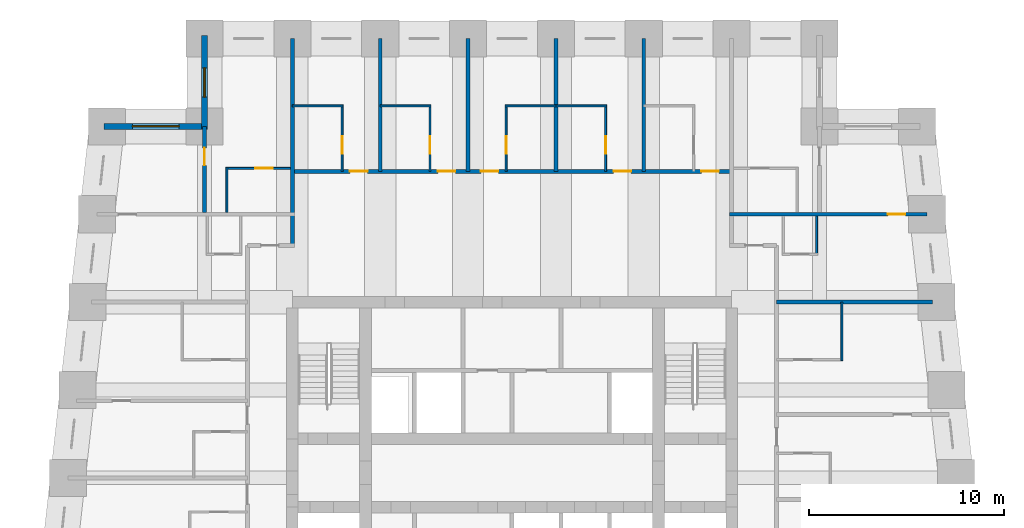
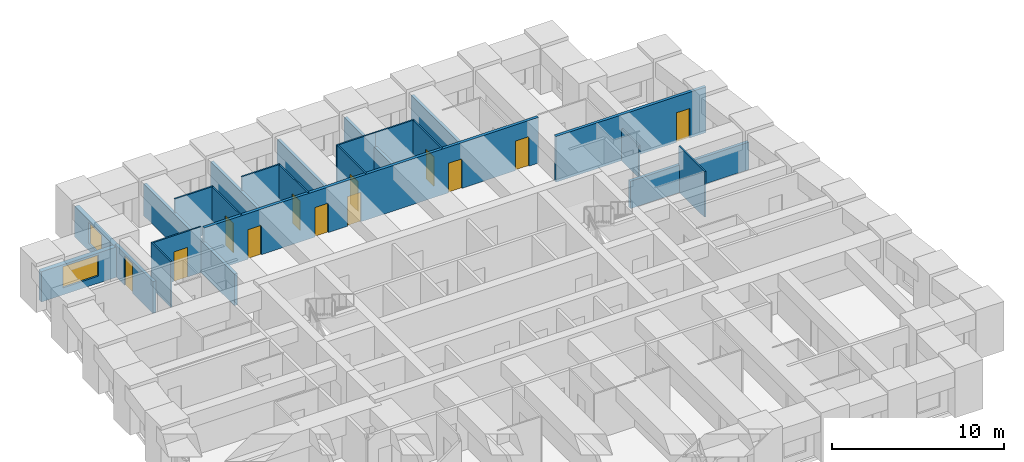
# One storey, part 6 of 8: 23 walls, 12 doors, 2 windows, 14 openings.
"""IFC4 building model written with IfcOpenShell, lengths in metres."""

import ifcopenshell
import ifcopenshell.guid

model = None  # the IFC model being written
_history = None  # IfcOwnerHistory: only IFC2X3 demands one
_inside = {}  # id of a spatial element -> (the spatial element, [elements in it])
_under = {}  # id of a project, library or spatial element -> (it, [spatial elements below it])
_declared = {}  # id of a project -> (the project, [libraries it declares])
_typed = {}  # id of a type object -> (the type object, [elements of that type])
_made_of = {}  # id of a material, layer set ... -> (it, [elements and type objects made of it])


def new_model(schema):
    """Start an empty IFC model of exactly this schema.

    Asked for "IFC4X3", IfcOpenShell would pick the latest addendum, in which some entities
    have other attributes; the version numbers below select the first issue.
    IFC2X3 requires an IfcOwnerHistory on every rooted entity: one is made here for all.
    """
    global model, _history
    if schema == "IFC4X3":
        model = ifcopenshell.file(schema_version=(4, 3, 0, 0))
    else:
        model = ifcopenshell.file(schema=schema)
    _inside.clear()
    _under.clear()
    _declared.clear()
    _typed.clear()
    _made_of.clear()
    _history = None
    if model.schema == "IFC2X3":
        org = make("IfcOrganization", Name="unknown")
        user = make(
            "IfcPersonAndOrganization",
            ThePerson=make("IfcPerson", FamilyName="unknown"),
            TheOrganization=org,
        )
        app = make(
            "IfcApplication",
            ApplicationDeveloper=org,
            Version="unknown",
            ApplicationFullName="unknown",
            ApplicationIdentifier="unknown",
        )
        _history = make(
            "IfcOwnerHistory",
            OwningUser=user,
            OwningApplication=app,
            ChangeAction="ADDED",
            CreationDate=0,
        )
    return model


def make(cls, **values):
    """One entity of the class cls with the attributes given. An attribute that is None is left unset."""
    return model.create_entity(
        cls, **{name: value for name, value in values.items() if value is not None}
    )


def rooted(cls, **values):
    """An entity with a GlobalId (a new one), such as an element, a storey or a relation."""
    return make(cls, GlobalId=ifcopenshell.guid.new(), OwnerHistory=_history, **values)


def si_unit(unit_type, name, prefix=None):
    """IfcSIUnit, for example si_unit("LENGTHUNIT", "METRE", prefix="MILLI")."""
    return make("IfcSIUnit", UnitType=unit_type, Prefix=prefix, Name=name)


def assignment(units):
    """IfcUnitAssignment: the units of a project."""
    return None if units is None else make("IfcUnitAssignment", Units=units)


def point(xyz):
    """IfcCartesianPoint."""
    return None if xyz is None else make("IfcCartesianPoint", Coordinates=xyz)


def direction(xyz):
    """IfcDirection."""
    return None if xyz is None else make("IfcDirection", DirectionRatios=xyz)


def frame(location, z_axis=None, x_axis=None):
    """IfcAxis2Placement3D, a coordinate frame: its origin and axes. An axis left out is left unset."""
    return make(
        "IfcAxis2Placement3D",
        Location=point(location),
        Axis=direction(z_axis),
        RefDirection=direction(x_axis),
    )


def frame_2d(location, x_axis=None):
    """IfcAxis2Placement2D, a coordinate frame in the plane: its origin and x axis."""
    return make(
        "IfcAxis2Placement2D", Location=point(location), RefDirection=direction(x_axis)
    )


def origin():
    """The frame at (0, 0, 0) with its axes left unset."""
    return frame((0.0, 0.0, 0.0))


def place(relative_to, where):
    """IfcLocalPlacement: puts the frame where relative to a parent placement (None: the world)."""
    return make(
        "IfcLocalPlacement", PlacementRelTo=relative_to, RelativePlacement=where
    )


def context(
    kind, dimensions, precision=None, world=None, true_north=None, identifier=None
):
    """IfcGeometricRepresentationContext, for example the 3D "Model" context."""
    return make(
        "IfcGeometricRepresentationContext",
        ContextIdentifier=identifier,
        ContextType=kind,
        CoordinateSpaceDimension=dimensions,
        Precision=precision,
        WorldCoordinateSystem=world,
        TrueNorth=true_north,
    )


def subcontext(parent, identifier, kind, view, scale=None):
    """IfcGeometricRepresentationSubContext, for example "Body" below "Model"."""
    return make(
        "IfcGeometricRepresentationSubContext",
        ContextIdentifier=identifier,
        ContextType=kind,
        ParentContext=parent,
        TargetScale=scale,
        TargetView=view,
    )


def project(units=None, contexts=None):
    """IfcProject with its units and contexts."""
    return rooted(
        "IfcProject",
        Name="project",
        RepresentationContexts=contexts,
        UnitsInContext=assignment(units),
    )


def spatial(cls, under=None, at=None, **own):
    """A site, building, storey or space (cls), placed at a placement, below another one or the project."""
    s = rooted(cls, ObjectPlacement=at, **own)
    if under is not None:
        _under.setdefault(under.id(), (under, []))[1].append(s)
    return s


def profile(cls, at=None, kind="AREA", **sizes):
    """A parametric profile (cls). Its sizes go by their IFC names, for example OverallWidth=200.0."""
    return make(cls, ProfileType=kind, Position=at, **sizes)


def rectangle(**sizes):
    """IfcRectangleProfileDef."""
    return profile("IfcRectangleProfileDef", **sizes)


def extrude(swept, where, along, depth):
    """IfcExtrudedAreaSolid: the profile swept, set in the frame where, extruded along a direction by depth."""
    return make(
        "IfcExtrudedAreaSolid",
        SweptArea=swept,
        Position=where,
        ExtrudedDirection=direction(along),
        Depth=depth,
    )


def shape(context_of_items, identifier, shape_type, items):
    """IfcShapeRepresentation: the items that make up one representation, for example the "Body"."""
    return make(
        "IfcShapeRepresentation",
        ContextOfItems=context_of_items,
        RepresentationIdentifier=identifier,
        RepresentationType=shape_type,
        Items=items,
    )


def material(Name=None, Category=None):
    """IfcMaterial."""
    return make("IfcMaterial", Name=Name, Category=Category)


def layer(
    of_material, thickness, ventilated=None, Name=None, Category=None, Priority=None
):
    """IfcMaterialLayer: one layer of a wall or slab, of a material (None: an air gap)."""
    return make(
        "IfcMaterialLayer",
        Material=of_material,
        LayerThickness=thickness,
        IsVentilated=ventilated,
        Name=Name,
        Category=Category,
        Priority=Priority,
    )


def layer_set(layers, Name=None):
    """IfcMaterialLayerSet."""
    return make("IfcMaterialLayerSet", MaterialLayers=layers, LayerSetName=Name)


def made_of(thing, what):
    """Note that an element or type object is made of a material, layer set ...; save() writes the relation."""
    if what is not None:
        _made_of.setdefault(what.id(), (what, []))[1].append(thing)
    return thing


def type_object(cls, material=None, **own):
    """A type object (cls), such as IfcWallType, which elements share."""
    return made_of(rooted(cls, **own), material)


def element(
    cls,
    number,
    at=None,
    inside=None,
    cuts=None,
    type_object=None,
    material=None,
    context=None,
    identifier="Body",
    shape_type=None,
    held_by="IfcProductDefinitionShape",
    body=None,
    shapes=None,
    **own,
):
    """One element of the class cls, such as IfcWall. Its Tag is "e" and its number.

    at: its placement. inside: the storey or other place that contains it. cuts: it is an
    opening in that element (IfcRelVoidsElement). A single representation is given by context,
    identifier, shape_type and body (its items); several are given by shapes. held_by: the class
    of the entity that holds the representations. save() writes the other relations.
    """
    e = rooted(cls, Tag="e%d" % number, ObjectPlacement=at, **own)
    if body is not None:
        shapes = [shape(context, identifier, shape_type, body)]
    if shapes is not None:
        e.Representation = make(held_by, Representations=shapes)
    if inside is not None:
        _inside.setdefault(inside.id(), (inside, []))[1].append(e)
    if cuts is not None:
        rooted(
            "IfcRelVoidsElement", RelatingBuildingElement=cuts, RelatedOpeningElement=e
        )
    if type_object is not None:
        _typed.setdefault(type_object.id(), (type_object, []))[1].append(e)
    return made_of(e, material)


def fill(opening, filler):
    """IfcRelFillsElement: the door or window that sits in an opening."""
    return rooted(
        "IfcRelFillsElement",
        RelatingOpeningElement=opening,
        RelatedBuildingElement=filler,
    )


def aggregate(whole, parts):
    """IfcRelAggregates: a whole, such as a stair, and the parts it consists of."""
    return rooted("IfcRelAggregates", RelatingObject=whole, RelatedObjects=parts)


def save(model, path):
    """Write the relations noted so far, then the file.

    IfcRelAggregates (storeys below a building ...), IfcRelContainedInSpatialStructure (elements
    in a storey), IfcRelDefinesByType, IfcRelAssociatesMaterial and IfcRelDeclares: one each for
    every whole, place, type object, material and project.
    """
    for whole, parts in _under.values():
        aggregate(whole, parts)
    for where, things in _inside.values():
        rooted(
            "IfcRelContainedInSpatialStructure",
            RelatedElements=things,
            RelatingStructure=where,
        )
    for kind, things in _typed.values():
        rooted("IfcRelDefinesByType", RelatedObjects=things, RelatingType=kind)
    for what, things in _made_of.values():
        rooted("IfcRelAssociatesMaterial", RelatedObjects=things, RelatingMaterial=what)
    for by, libraries in _declared.values():
        rooted("IfcRelDeclares", RelatingContext=by, RelatedDefinitions=libraries)
    model.write(path)


model = new_model("IFC4")

# Units and contexts
model_context = context("Model", 3, precision=1e-05, world=origin(), true_north=direction((0.0, 1.0)))
body_context = subcontext(model_context, "Body", "Model", "MODEL_VIEW")
ifc_project = project(units=[si_unit("LENGTHUNIT", "METRE"), si_unit("AREAUNIT", "SQUARE_METRE"), si_unit("VOLUMEUNIT", "CUBIC_METRE"), si_unit("PLANEANGLEUNIT", "RADIAN"), si_unit("MASSUNIT", "GRAM", prefix="KILO")], contexts=[model_context])

# Site, building, storey
site_placement = place(None, origin())
site = spatial("IfcSite", under=ifc_project, at=site_placement, CompositionType="ELEMENT")
building_placement = place(site_placement, origin())
building = spatial("IfcBuilding", under=site, at=building_placement, Name="Kilele Tower Hotel", CompositionType="ELEMENT")
storey_placement = place(building_placement, frame((0.0, 0.0, 96.89990234375)))
storey = spatial("IfcBuildingStorey", under=building, at=storey_placement, Name="L24", CompositionType="ELEMENT", Elevation=96.89990234375)

# Walls
ifc_material_1 = material(Name="Moisture-resistant board")
ifc_layer_1 = layer(ifc_material_1, 0.10009765625)
ifc_layer_set_1 = layer_set([ifc_layer_1], Name="Moisture-resistant board")
wall_type_1 = type_object("IfcWallType", Name="Bathroom partition 100", PredefinedType="PLUMBINGWALL", material=ifc_layer_set_1)
wall_1_placement = place(storey_placement, frame((41.64990234375, 24.0, 0.0), z_axis=(0.0, 0.0, 1.0), x_axis=(0.0, 1.0, 0.0)))
element("IfcWall", 1, at=wall_1_placement, inside=storey, type_object=wall_type_1, Name="Bathroom partition 100 L24", PredefinedType="PLUMBINGWALL", context=body_context, shape_type="SweptSolid", body=[
    extrude(rectangle(XDim=3.0, YDim=0.10009765625, at=frame_2d((1.5, 0.0))), origin(), (0.0, 0.0, 1.0), 3.25),
])
wall_2_placement = place(storey_placement, frame((13.5, 37.050048828125, 0.0), z_axis=(0.0, 0.0, 1.0), x_axis=(1.0, 0.0, 0.0)))
element("IfcWall", 2, at=wall_2_placement, inside=storey, type_object=wall_type_1, Name="Bathroom partition 100 L24", PredefinedType="PLUMBINGWALL", context=body_context, shape_type="SweptSolid", body=[
    extrude(rectangle(XDim=2.60009765625, YDim=0.10009765625, at=frame_2d((1.300048828125, 0.0))), origin(), (0.0, 0.0, 1.0), 3.25),
])

# Wall, opening, door
wall_3_placement = place(storey_placement, frame((16.050048828125, 33.699951171875, 0.0), z_axis=(0.0, 0.0, 1.0), x_axis=(0.0, 1.0, 0.0)))
wall_3 = element("IfcWall", 3, at=wall_3_placement, inside=storey, type_object=wall_type_1, Name="Bathroom partition 100 L24", PredefinedType="PLUMBINGWALL", context=body_context, shape_type="SweptSolid", body=[
    extrude(rectangle(XDim=3.400146484375, YDim=0.10009765625, at=frame_2d((1.7001953125, 0.0))), origin(), (0.0, 0.0, 1.0), 3.25),
])
opening_1_placement = place(wall_3_placement, frame((1.7998046875, 0.0, 0.0), z_axis=(0.0, 0.0, 1.0), x_axis=(-1.0, 0.0, 0.0)))
opening_1 = element("IfcOpeningElement", 4, at=opening_1_placement, cuts=wall_3, Name="Opening D2A", PredefinedType="OPENING", context=body_context, shape_type="SweptSolid", body=[
    extrude(rectangle(XDim=0.89990234375, YDim=2.10009765625, at=frame_2d((0.449951171875, 1.050048828125))), frame((0.0, 0.06005859375, 0.0), z_axis=(0.0, -1.0, 0.0), x_axis=(1.0, 0.0, 0.0)), (0.0, 0.0, 1.0), 0.1201171875),
])
ifc_material_2 = material(Name="Timber door leaf in hardwood frame", Category="wood")
door_type_1 = type_object("IfcDoorType", Name="Bathroom door 900", OperationType="SINGLE_SWING_LEFT", PredefinedType="DOOR", material=ifc_material_2)
door_1_placement = place(opening_1_placement, origin())
door_1 = element("IfcDoor", 5, at=door_1_placement, inside=storey, type_object=door_type_1, Name="Bathroom door 2409B", OperationType="SINGLE_SWING_RIGHT", OverallHeight=2.10009765625, OverallWidth=0.89990234375, PredefinedType="DOOR", context=body_context, shape_type="SweptSolid", body=[
    extrude(rectangle(XDim=0.89990234375, YDim=2.10009765625, at=frame_2d((0.449951171875, 1.050048828125))), frame((0.0, 0.02490234375, 0.0), z_axis=(0.0, -1.0, 0.0), x_axis=(1.0, 0.0, 0.0)), (0.0, 0.0, 1.0), 0.050048828125),
])
fill(opening_1, door_1)

# Wall
wall_4_placement = place(storey_placement, frame((18.0, 37.050048828125, 0.0), z_axis=(0.0, 0.0, 1.0), x_axis=(1.0, 0.0, 0.0)))
element("IfcWall", 6, at=wall_4_placement, inside=storey, type_object=wall_type_1, Name="Bathroom partition 100 L24", PredefinedType="PLUMBINGWALL", context=body_context, shape_type="SweptSolid", body=[
    extrude(rectangle(XDim=2.60009765625, YDim=0.10009765625, at=frame_2d((1.300048828125, 0.0))), origin(), (0.0, 0.0, 1.0), 3.25),
])

# Wall, opening, door
wall_5_placement = place(storey_placement, frame((20.550048828125, 33.699951171875, 0.0), z_axis=(0.0, 0.0, 1.0), x_axis=(0.0, 1.0, 0.0)))
wall_5 = element("IfcWall", 7, at=wall_5_placement, inside=storey, type_object=wall_type_1, Name="Bathroom partition 100 L24", PredefinedType="PLUMBINGWALL", context=body_context, shape_type="SweptSolid", body=[
    extrude(rectangle(XDim=3.400146484375, YDim=0.10009765625, at=frame_2d((1.7001953125, 0.0))), origin(), (0.0, 0.0, 1.0), 3.25),
])
opening_2_placement = place(wall_5_placement, frame((1.7998046875, 0.0, 0.0), z_axis=(0.0, 0.0, 1.0), x_axis=(-1.0, 0.0, 0.0)))
opening_2 = element("IfcOpeningElement", 8, at=opening_2_placement, cuts=wall_5, Name="Opening D2A", PredefinedType="OPENING", context=body_context, shape_type="SweptSolid", body=[
    extrude(rectangle(XDim=0.89990234375, YDim=2.10009765625, at=frame_2d((0.449951171875, 1.050048828125))), frame((0.0, 0.06005859375, 0.0), z_axis=(0.0, -1.0, 0.0), x_axis=(1.0, 0.0, 0.0)), (0.0, 0.0, 1.0), 0.1201171875),
])
door_2_placement = place(opening_2_placement, origin())
door_2 = element("IfcDoor", 9, at=door_2_placement, inside=storey, type_object=door_type_1, Name="Bathroom door 2410B", OperationType="SINGLE_SWING_RIGHT", OverallHeight=2.10009765625, OverallWidth=0.89990234375, PredefinedType="DOOR", context=body_context, shape_type="SweptSolid", body=[
    extrude(rectangle(XDim=0.89990234375, YDim=2.10009765625, at=frame_2d((0.449951171875, 1.050048828125))), frame((0.0, 0.02490234375, 0.0), z_axis=(0.0, -1.0, 0.0), x_axis=(1.0, 0.0, 0.0)), (0.0, 0.0, 1.0), 0.050048828125),
])
fill(opening_2, door_2)

# Wall
wall_6_placement = place(storey_placement, frame((24.39990234375, 37.050048828125, 0.0), z_axis=(0.0, 0.0, 1.0), x_axis=(1.0, 0.0, 0.0)))
element("IfcWall", 10, at=wall_6_placement, inside=storey, type_object=wall_type_1, Name="Bathroom partition 100 L24", PredefinedType="PLUMBINGWALL", context=body_context, shape_type="SweptSolid", body=[
    extrude(rectangle(XDim=2.60009765625, YDim=0.10009765625, at=frame_2d((1.300048828125, 0.0))), origin(), (0.0, 0.0, 1.0), 3.25),
])

# Wall, opening, door
wall_7_placement = place(storey_placement, frame((24.449951171875, 33.699951171875, 0.0), z_axis=(0.0, 0.0, 1.0), x_axis=(0.0, 1.0, 0.0)))
wall_7 = element("IfcWall", 11, at=wall_7_placement, inside=storey, type_object=wall_type_1, Name="Bathroom partition 100 L24", PredefinedType="PLUMBINGWALL", context=body_context, shape_type="SweptSolid", body=[
    extrude(rectangle(XDim=3.400146484375, YDim=0.10009765625, at=frame_2d((1.7001953125, 0.0))), origin(), (0.0, 0.0, 1.0), 3.25),
])
opening_3_placement = place(wall_7_placement, frame((0.89990234375, 0.0, 0.0)))
opening_3 = element("IfcOpeningElement", 12, at=opening_3_placement, cuts=wall_7, Name="Opening D2A", PredefinedType="OPENING", context=body_context, shape_type="SweptSolid", body=[
    extrude(rectangle(XDim=0.89990234375, YDim=2.10009765625, at=frame_2d((0.449951171875, 1.050048828125))), frame((0.0, 0.06005859375, 0.0), z_axis=(0.0, -1.0, 0.0), x_axis=(1.0, 0.0, 0.0)), (0.0, 0.0, 1.0), 0.1201171875),
])
door_3_placement = place(opening_3_placement, origin())
door_3 = element("IfcDoor", 13, at=door_3_placement, inside=storey, type_object=door_type_1, Name="Bathroom door 2411B", OperationType="SINGLE_SWING_LEFT", OverallHeight=2.10009765625, OverallWidth=0.89990234375, PredefinedType="DOOR", context=body_context, shape_type="SweptSolid", body=[
    extrude(rectangle(XDim=0.89990234375, YDim=2.10009765625, at=frame_2d((0.449951171875, 1.050048828125))), frame((0.0, 0.02490234375, 0.0), z_axis=(0.0, -1.0, 0.0), x_axis=(1.0, 0.0, 0.0)), (0.0, 0.0, 1.0), 0.050048828125),
])
fill(opening_3, door_3)

# Wall
wall_8_placement = place(storey_placement, frame((27.0, 37.050048828125, 0.0), z_axis=(0.0, 0.0, 1.0), x_axis=(1.0, 0.0, 0.0)))
element("IfcWall", 14, at=wall_8_placement, inside=storey, type_object=wall_type_1, Name="Bathroom partition 100 L24", PredefinedType="PLUMBINGWALL", context=body_context, shape_type="SweptSolid", body=[
    extrude(rectangle(XDim=2.60009765625, YDim=0.10009765625, at=frame_2d((1.300048828125, 0.0))), origin(), (0.0, 0.0, 1.0), 3.25),
])

# Wall, opening, door
wall_9_placement = place(storey_placement, frame((29.550048828125, 33.699951171875, 0.0), z_axis=(0.0, 0.0, 1.0), x_axis=(0.0, 1.0, 0.0)))
wall_9 = element("IfcWall", 15, at=wall_9_placement, inside=storey, type_object=wall_type_1, Name="Bathroom partition 100 L24", PredefinedType="PLUMBINGWALL", context=body_context, shape_type="SweptSolid", body=[
    extrude(rectangle(XDim=3.400146484375, YDim=0.10009765625, at=frame_2d((1.7001953125, 0.0))), origin(), (0.0, 0.0, 1.0), 3.25),
])
opening_4_placement = place(wall_9_placement, frame((1.7998046875, 0.0, 0.0), z_axis=(0.0, 0.0, 1.0), x_axis=(-1.0, 0.0, 0.0)))
opening_4 = element("IfcOpeningElement", 16, at=opening_4_placement, cuts=wall_9, Name="Opening D2A", PredefinedType="OPENING", context=body_context, shape_type="SweptSolid", body=[
    extrude(rectangle(XDim=0.89990234375, YDim=2.10009765625, at=frame_2d((0.449951171875, 1.050048828125))), frame((0.0, 0.06005859375, 0.0), z_axis=(0.0, -1.0, 0.0), x_axis=(1.0, 0.0, 0.0)), (0.0, 0.0, 1.0), 0.1201171875),
])
door_4_placement = place(opening_4_placement, origin())
door_4 = element("IfcDoor", 17, at=door_4_placement, inside=storey, type_object=door_type_1, Name="Bathroom door 2412B", OperationType="SINGLE_SWING_RIGHT", OverallHeight=2.10009765625, OverallWidth=0.89990234375, PredefinedType="DOOR", context=body_context, shape_type="SweptSolid", body=[
    extrude(rectangle(XDim=0.89990234375, YDim=2.10009765625, at=frame_2d((0.449951171875, 1.050048828125))), frame((0.0, 0.02490234375, 0.0), z_axis=(0.0, -1.0, 0.0), x_axis=(1.0, 0.0, 0.0)), (0.0, 0.0, 1.0), 0.050048828125),
])
fill(opening_4, door_4)

# Walls
wall_10_placement = place(storey_placement, frame((40.35009765625, 31.39990234375, 0.0), z_axis=(0.0, 0.0, 1.0), x_axis=(0.0, -1.0, 0.0)))
element("IfcWall", 18, at=wall_10_placement, inside=storey, type_object=wall_type_1, Name="Bathroom partition 100 L24", PredefinedType="PLUMBINGWALL", context=body_context, shape_type="SweptSolid", body=[
    extrude(rectangle(XDim=2.0, YDim=0.10009765625, at=frame_2d((1.0, 0.0))), origin(), (0.0, 0.0, 1.0), 2.25),
])
wall_11_placement = place(storey_placement, frame((10.14990234375, 31.60009765625, 0.0), z_axis=(0.0, 0.0, 1.0), x_axis=(0.0, 1.0, 0.0)))
element("IfcWall", 19, at=wall_11_placement, inside=storey, type_object=wall_type_1, Name="Bathroom partition 100 L24", PredefinedType="PLUMBINGWALL", context=body_context, shape_type="SweptSolid", body=[
    extrude(rectangle(XDim=2.2998046875, YDim=0.10009765625, at=frame_2d((1.14990234375, 0.0))), origin(), (0.0, 0.0, 1.0), 3.25),
])

# Wall, opening, door
wall_12_placement = place(storey_placement, frame((13.39990234375, 33.85009765625, 0.0), z_axis=(0.0, 0.0, 1.0), x_axis=(-1.0, 0.0, 0.0)))
wall_12 = element("IfcWall", 20, at=wall_12_placement, inside=storey, type_object=wall_type_1, Name="Bathroom partition 100 L24", PredefinedType="PLUMBINGWALL", context=body_context, shape_type="SweptSolid", body=[
    extrude(rectangle(XDim=3.2998046875, YDim=0.10009765625, at=frame_2d((1.64990234375, 0.0))), origin(), (0.0, 0.0, 1.0), 3.25),
])
opening_5_placement = place(wall_12_placement, frame((1.7998046875, 0.0, 0.0), z_axis=(0.0, 0.0, 1.0), x_axis=(-1.0, 0.0, 0.0)))
opening_5 = element("IfcOpeningElement", 21, at=opening_5_placement, cuts=wall_12, Name="Opening D2A", PredefinedType="OPENING", context=body_context, shape_type="SweptSolid", body=[
    extrude(rectangle(XDim=0.89990234375, YDim=2.10009765625, at=frame_2d((0.449951171875, 1.050048828125))), frame((0.0, 0.06005859375, 0.0), z_axis=(0.0, -1.0, 0.0), x_axis=(1.0, 0.0, 0.0)), (0.0, 0.0, 1.0), 0.1201171875),
])
door_5_placement = place(opening_5_placement, origin())
door_5 = element("IfcDoor", 22, at=door_5_placement, inside=storey, type_object=door_type_1, Name="Bathroom door 2427B", OperationType="SINGLE_SWING_RIGHT", OverallHeight=2.10009765625, OverallWidth=0.89990234375, PredefinedType="DOOR", context=body_context, shape_type="SweptSolid", body=[
    extrude(rectangle(XDim=0.89990234375, YDim=2.10009765625, at=frame_2d((0.449951171875, 1.050048828125))), frame((0.0, 0.02490234375, 0.0), z_axis=(0.0, -1.0, 0.0), x_axis=(1.0, 0.0, 0.0)), (0.0, 0.0, 1.0), 0.050048828125),
])
fill(opening_5, door_5)

# Wall, openings, doors
ifc_material_3 = material(Name="Blockwork, plastered both sides", Category="masonry")
ifc_layer_2 = layer(ifc_material_3, 0.199951171875)
ifc_layer_set_2 = layer_set([ifc_layer_2], Name="Blockwork, plastered both sides")
wall_type_2 = type_object("IfcWallType", Name="Corridor wall 200", PredefinedType="PARTITIONING", material=ifc_layer_set_2)
wall_13_placement = place(storey_placement, frame((13.5, 33.699951171875, 0.0), z_axis=(0.0, 0.0, 1.0), x_axis=(1.0, 0.0, 0.0)))
wall_13 = element("IfcWall", 23, at=wall_13_placement, inside=storey, type_object=wall_type_2, Name="Corridor wall 200 L24", PredefinedType="PARTITIONING", context=body_context, shape_type="SweptSolid", body=[
    extrude(rectangle(XDim=22.5, YDim=0.199951171875, at=frame_2d((11.25, 0.0))), origin(), (0.0, 0.0, 1.0), 3.25),
])
opening_6_placement = place(wall_13_placement, frame((2.949951171875, 0.0, 0.0)))
opening_6 = element("IfcOpeningElement", 24, at=opening_6_placement, cuts=wall_13, Name="Opening D1", PredefinedType="OPENING", context=body_context, shape_type="SweptSolid", body=[
    extrude(rectangle(XDim=0.89990234375, YDim=2.10009765625, at=frame_2d((0.449951171875, 1.050048828125))), frame((0.0, 0.10986328125, 0.0), z_axis=(0.0, -1.0, 0.0), x_axis=(1.0, 0.0, 0.0)), (0.0, 0.0, 1.0), 0.219970703125),
])
opening_7_placement = place(wall_13_placement, frame((7.449951171875, 0.0, 0.0)))
opening_7 = element("IfcOpeningElement", 25, at=opening_7_placement, cuts=wall_13, Name="Opening D1", PredefinedType="OPENING", context=body_context, shape_type="SweptSolid", body=[
    extrude(rectangle(XDim=0.89990234375, YDim=2.10009765625, at=frame_2d((0.449951171875, 1.050048828125))), frame((0.0, 0.10986328125, 0.0), z_axis=(0.0, -1.0, 0.0), x_axis=(1.0, 0.0, 0.0)), (0.0, 0.0, 1.0), 0.219970703125),
])
opening_8_placement = place(wall_13_placement, frame((9.64990234375, 0.0, 0.0)))
opening_8 = element("IfcOpeningElement", 26, at=opening_8_placement, cuts=wall_13, Name="Opening D1", PredefinedType="OPENING", context=body_context, shape_type="SweptSolid", body=[
    extrude(rectangle(XDim=0.89990234375, YDim=2.10009765625, at=frame_2d((0.449951171875, 1.050048828125))), frame((0.0, 0.10986328125, 0.0), z_axis=(0.0, -1.0, 0.0), x_axis=(1.0, 0.0, 0.0)), (0.0, 0.0, 1.0), 0.219970703125),
])
opening_9_placement = place(wall_13_placement, frame((16.449951171875, 0.0, 0.0)))
opening_9 = element("IfcOpeningElement", 27, at=opening_9_placement, cuts=wall_13, Name="Opening D1", PredefinedType="OPENING", context=body_context, shape_type="SweptSolid", body=[
    extrude(rectangle(XDim=0.89990234375, YDim=2.10009765625, at=frame_2d((0.449951171875, 1.050048828125))), frame((0.0, 0.10986328125, 0.0), z_axis=(0.0, -1.0, 0.0), x_axis=(1.0, 0.0, 0.0)), (0.0, 0.0, 1.0), 0.219970703125),
])
opening_10_placement = place(wall_13_placement, frame((20.949951171875, 0.0, 0.0)))
opening_10 = element("IfcOpeningElement", 28, at=opening_10_placement, cuts=wall_13, Name="Opening D1", PredefinedType="OPENING", context=body_context, shape_type="SweptSolid", body=[
    extrude(rectangle(XDim=0.89990234375, YDim=2.10009765625, at=frame_2d((0.449951171875, 1.050048828125))), frame((0.0, 0.10986328125, 0.0), z_axis=(0.0, -1.0, 0.0), x_axis=(1.0, 0.0, 0.0)), (0.0, 0.0, 1.0), 0.219970703125),
])
ifc_material_4 = material(Name="Timber door leaf in hardwood frame", Category="wood")
door_type_2 = type_object("IfcDoorType", Name="Guest room entrance door 900", OperationType="SINGLE_SWING_LEFT", PredefinedType="DOOR", material=ifc_material_4)
door_6_placement = place(opening_6_placement, origin())
door_6 = element("IfcDoor", 29, at=door_6_placement, inside=storey, type_object=door_type_2, Name="Room entrance 2409", OperationType="SINGLE_SWING_LEFT", OverallHeight=2.10009765625, OverallWidth=0.89990234375, PredefinedType="DOOR", context=body_context, shape_type="SweptSolid", body=[
    extrude(rectangle(XDim=0.89990234375, YDim=2.10009765625, at=frame_2d((0.449951171875, 1.050048828125))), frame((0.0, 0.02490234375, 0.0), z_axis=(0.0, -1.0, 0.0), x_axis=(1.0, 0.0, 0.0)), (0.0, 0.0, 1.0), 0.050048828125),
])
fill(opening_6, door_6)
door_7_placement = place(opening_7_placement, origin())
door_7 = element("IfcDoor", 30, at=door_7_placement, inside=storey, type_object=door_type_2, Name="Room entrance 2410", OperationType="SINGLE_SWING_LEFT", OverallHeight=2.10009765625, OverallWidth=0.89990234375, PredefinedType="DOOR", context=body_context, shape_type="SweptSolid", body=[
    extrude(rectangle(XDim=0.89990234375, YDim=2.10009765625, at=frame_2d((0.449951171875, 1.050048828125))), frame((0.0, 0.02490234375, 0.0), z_axis=(0.0, -1.0, 0.0), x_axis=(1.0, 0.0, 0.0)), (0.0, 0.0, 1.0), 0.050048828125),
])
fill(opening_7, door_7)
door_8_placement = place(opening_8_placement, origin())
door_8 = element("IfcDoor", 31, at=door_8_placement, inside=storey, type_object=door_type_2, Name="Room entrance 2411", OperationType="SINGLE_SWING_RIGHT", OverallHeight=2.10009765625, OverallWidth=0.89990234375, PredefinedType="DOOR", context=body_context, shape_type="SweptSolid", body=[
    extrude(rectangle(XDim=0.89990234375, YDim=2.10009765625, at=frame_2d((0.449951171875, 1.050048828125))), frame((0.0, 0.02490234375, 0.0), z_axis=(0.0, -1.0, 0.0), x_axis=(1.0, 0.0, 0.0)), (0.0, 0.0, 1.0), 0.050048828125),
])
fill(opening_8, door_8)
door_9_placement = place(opening_9_placement, origin())
door_9 = element("IfcDoor", 32, at=door_9_placement, inside=storey, type_object=door_type_2, Name="Room entrance 2412", OperationType="SINGLE_SWING_LEFT", OverallHeight=2.10009765625, OverallWidth=0.89990234375, PredefinedType="DOOR", context=body_context, shape_type="SweptSolid", body=[
    extrude(rectangle(XDim=0.89990234375, YDim=2.10009765625, at=frame_2d((0.449951171875, 1.050048828125))), frame((0.0, 0.02490234375, 0.0), z_axis=(0.0, -1.0, 0.0), x_axis=(1.0, 0.0, 0.0)), (0.0, 0.0, 1.0), 0.050048828125),
])
fill(opening_9, door_9)
door_10_placement = place(opening_10_placement, origin())
door_10 = element("IfcDoor", 33, at=door_10_placement, inside=storey, type_object=door_type_2, Name="Room entrance 2413", OperationType="SINGLE_SWING_LEFT", OverallHeight=2.10009765625, OverallWidth=0.89990234375, PredefinedType="DOOR", context=body_context, shape_type="SweptSolid", body=[
    extrude(rectangle(XDim=0.89990234375, YDim=2.10009765625, at=frame_2d((0.449951171875, 1.050048828125))), frame((0.0, 0.02490234375, 0.0), z_axis=(0.0, -1.0, 0.0), x_axis=(1.0, 0.0, 0.0)), (0.0, 0.0, 1.0), 0.050048828125),
])
fill(opening_10, door_10)

# Wall, opening, door
ifc_material_5 = material(Name="Blockwork, plastered both sides", Category="masonry")
ifc_layer_3 = layer(ifc_material_5, 0.199951171875)
ifc_layer_set_3 = layer_set([ifc_layer_3], Name="Blockwork, plastered both sides")
wall_type_3 = type_object("IfcWallType", Name="Partition wall 200", PredefinedType="PARTITIONING", material=ifc_layer_set_3)
wall_14_placement = place(storey_placement, frame((9.0, 31.60009765625, 0.0), z_axis=(0.0, 0.0, 1.0), x_axis=(0.0, 1.0, 0.0)))
wall_14 = element("IfcWall", 34, at=wall_14_placement, inside=storey, type_object=wall_type_3, Name="Partition wall 200 L24", PredefinedType="PARTITIONING", context=body_context, shape_type="SweptSolid", body=[
    extrude(rectangle(XDim=4.39990234375, YDim=0.199951171875, at=frame_2d((2.199951171875, 0.0))), origin(), (0.0, 0.0, 1.0), 2.25),
])
opening_11_placement = place(wall_14_placement, frame((2.39990234375, 0.0, 0.0)))
opening_11 = element("IfcOpeningElement", 35, at=opening_11_placement, cuts=wall_14, Name="Opening D3", PredefinedType="OPENING", context=body_context, shape_type="SweptSolid", body=[
    extrude(rectangle(XDim=0.89990234375, YDim=2.10009765625, at=frame_2d((0.449951171875, 1.050048828125))), frame((0.0, 0.10986328125, 0.0), z_axis=(0.0, -1.0, 0.0), x_axis=(1.0, 0.0, 0.0)), (0.0, 0.0, 1.0), 0.219970703125),
])
ifc_material_6 = material(Name="Timber door leaf in hardwood frame", Category="wood")
door_type_3 = type_object("IfcDoorType", Name="Suite internal door 900", OperationType="SINGLE_SWING_LEFT", PredefinedType="DOOR", material=ifc_material_6)
door_11_placement = place(opening_11_placement, origin())
door_11 = element("IfcDoor", 36, at=door_11_placement, inside=storey, type_object=door_type_3, Name="Suite door 2428", OperationType="SINGLE_SWING_RIGHT", OverallHeight=2.10009765625, OverallWidth=0.89990234375, PredefinedType="DOOR", context=body_context, shape_type="SweptSolid", body=[
    extrude(rectangle(XDim=0.89990234375, YDim=2.10009765625, at=frame_2d((0.449951171875, 1.050048828125))), frame((0.0, 0.02490234375, 0.0), z_axis=(0.0, -1.0, 0.0), x_axis=(1.0, 0.0, 0.0)), (0.0, 0.0, 1.0), 0.050048828125),
])
fill(opening_11, door_11)

# Walls
ifc_material_7 = material(Name="Blockwork, plastered both sides", Category="masonry")
ifc_layer_4 = layer(ifc_material_7, 0.199951171875)
ifc_layer_set_4 = layer_set([ifc_layer_4], Name="Blockwork, plastered both sides")
wall_type_4 = type_object("IfcWallType", Name="Party wall 200", PredefinedType="PARTITIONING", material=ifc_layer_set_4)
for number, where, z_axis, x_axis, name in (
    (37, (18.0, 33.699951171875, 0.0), (0.0, 0.0, 1.0), (0.0, 1.0, 0.0), "Party wall 200 L24"),
    (38, (22.5, 33.699951171875, 0.0), (0.0, 0.0, 1.0), (0.0, 1.0, 0.0), "Party wall 200 L24"),
    (39, (27.0, 33.699951171875, 0.0), (0.0, 0.0, 1.0), (0.0, 1.0, 0.0), "Party wall 200 L24"),
    (40, (31.5, 33.699951171875, 0.0), (0.0, 0.0, 1.0), (0.0, 1.0, 0.0), "Party wall 200 L24"),
):
    element("IfcWall", number, at=place(storey_placement, frame(where, z_axis=z_axis, x_axis=x_axis)), inside=storey, type_object=wall_type_4, Name=name, PredefinedType="PARTITIONING", context=body_context, shape_type="SweptSolid", body=[
        extrude(rectangle(XDim=6.800048828125, YDim=0.199951171875, at=frame_2d((3.39990234375, 0.0))), origin(), (0.0, 0.0, 1.0), 2.25),
    ])
wall_15_placement = place(storey_placement, frame((38.300048828125, 27.0, 0.0), z_axis=(0.0, 0.0, 1.0), x_axis=(1.0, 0.0, 0.0)))
element("IfcWall", 41, at=wall_15_placement, inside=storey, type_object=wall_type_4, Name="Party wall 200 L24", PredefinedType="PARTITIONING", context=body_context, shape_type="SweptSolid", body=[
    extrude(rectangle(XDim=7.976806640625, YDim=0.199951171875, at=frame_2d((3.98828125, 0.0))), origin(), (0.0, 0.0, 1.0), 1.9501953125),
])

# Wall, opening, door
wall_16_placement = place(storey_placement, frame((35.89990234375, 31.5, 0.0), z_axis=(0.0, 0.0, 1.0), x_axis=(1.0, 0.0, 0.0)))
wall_16 = element("IfcWall", 42, at=wall_16_placement, inside=storey, type_object=wall_type_4, Name="Party wall 200 L24", PredefinedType="PARTITIONING", context=body_context, shape_type="SweptSolid", body=[
    extrude(rectangle(XDim=10.09912109375, YDim=0.199951171875, at=frame_2d((5.049560546875, 0.0))), origin(), (0.0, 0.0, 1.0), 3.25),
])
opening_12_placement = place(wall_16_placement, frame((8.09912109375, 0.0, 0.0)))
opening_12 = element("IfcOpeningElement", 43, at=opening_12_placement, cuts=wall_16, Name="Opening D3", PredefinedType="OPENING", context=body_context, shape_type="SweptSolid", body=[
    extrude(rectangle(XDim=0.89990234375, YDim=2.10009765625, at=frame_2d((0.449951171875, 1.050048828125))), frame((0.0, 0.10986328125, 0.0), z_axis=(0.0, -1.0, 0.0), x_axis=(1.0, 0.0, 0.0)), (0.0, 0.0, 1.0), 0.219970703125),
])
door_12_placement = place(opening_12_placement, origin())
door_12 = element("IfcDoor", 44, at=door_12_placement, inside=storey, type_object=door_type_3, Name="Suite door 2424", OperationType="SINGLE_SWING_RIGHT", OverallHeight=2.10009765625, OverallWidth=0.89990234375, PredefinedType="DOOR", context=body_context, shape_type="SweptSolid", body=[
    extrude(rectangle(XDim=0.89990234375, YDim=2.10009765625, at=frame_2d((0.449951171875, 1.050048828125))), frame((0.0, 0.02490234375, 0.0), z_axis=(0.0, -1.0, 0.0), x_axis=(1.0, 0.0, 0.0)), (0.0, 0.0, 1.0), 0.050048828125),
])
fill(opening_12, door_12)

# Wall
wall_17_placement = place(storey_placement, frame((13.5, 29.89990234375, 0.0), z_axis=(0.0, 0.0, 1.0), x_axis=(0.0, 1.0, 0.0)))
element("IfcWall", 45, at=wall_17_placement, inside=storey, type_object=wall_type_4, Name="Party wall 200 L24", PredefinedType="PARTITIONING", context=body_context, shape_type="SweptSolid", body=[
    extrude(rectangle(XDim=10.60009765625, YDim=0.199951171875, at=frame_2d((5.300048828125, 0.0))), origin(), (0.0, 0.0, 1.0), 2.25),
])

# Wall, opening, window
ifc_material_8 = material(Name="Concrete C40/50 precast", Category="concrete")
ifc_layer_5 = layer(ifc_material_8, 0.260009765625, Name="Precast backing", Category="LoadBearing")
ifc_material_9 = material(Name="Reconstituted stone finish", Category="masonry")
ifc_layer_6 = layer(ifc_material_9, 0.0400390625, Name="Face mix", Category="Finish")
ifc_layer_set_5 = layer_set([ifc_layer_5, ifc_layer_6], Name="Precast concrete C40/50, reconstituted stone finish")
wall_type_5 = type_object("IfcWallType", Name="Precast stone facade wall 300", PredefinedType="STANDARD", material=ifc_layer_set_5)
wall_18_placement = place(storey_placement, frame((9.0, 40.64990234375, 0.0), z_axis=(0.0, 0.0, 1.0), x_axis=(0.0, -1.0, 0.0)))
wall_18 = element("IfcWall", 46, at=wall_18_placement, inside=storey, type_object=wall_type_5, Name="Facade wall L24 edge 10", PredefinedType="STANDARD", context=body_context, shape_type="SweptSolid", body=[
    extrude(rectangle(XDim=4.7998046875, YDim=0.300048828125, at=frame_2d((2.39990234375, 0.0))), origin(), (0.0, 0.0, 1.0), 2.150146484375),
])
opening_13_placement = place(wall_18_placement, frame((1.64990234375, 0.0, 0.5)))
opening_13 = element("IfcOpeningElement", 47, at=opening_13_placement, cuts=wall_18, Name="Opening W2", PredefinedType="OPENING", context=body_context, shape_type="SweptSolid", body=[
    extrude(rectangle(XDim=1.5, YDim=1.5, at=frame_2d((0.75, 0.75))), frame((0.0, 0.159912109375, 0.0), z_axis=(0.0, -1.0, 0.0), x_axis=(1.0, 0.0, 0.0)), (0.0, 0.0, 1.0), 0.320068359375),
])
ifc_material_10 = material(Name="Aluminium frame, clear double glazing", Category="aluminium")
window_type_1 = type_object("IfcWindowType", Name="Window W2 1500 x 1500", PartitioningType="SINGLE_PANEL", PredefinedType="WINDOW", material=ifc_material_10)
window_1_placement = place(opening_13_placement, origin())
window_1 = element("IfcWindow", 48, at=window_1_placement, inside=storey, type_object=window_type_1, Name="Window L24", OverallHeight=1.5, OverallWidth=1.5, PartitioningType="SINGLE_PANEL", PredefinedType="WINDOW", context=body_context, shape_type="SweptSolid", body=[
    extrude(rectangle(XDim=1.5, YDim=1.5, at=frame_2d((0.75, 0.75))), frame((0.0, 0.030029296875, 0.0), z_axis=(0.0, -1.0, 0.0), x_axis=(1.0, 0.0, 0.0)), (0.0, 0.0, 1.0), 0.06005859375),
])
fill(opening_13, window_1)

wall_19_placement = place(storey_placement, frame((9.14990234375, 36.0, 0.0), z_axis=(0.0, 0.0, 1.0), x_axis=(-1.0, 0.0, 0.0)))
wall_19 = element("IfcWall", 49, at=wall_19_placement, inside=storey, type_object=wall_type_5, Name="Facade wall L24 edge 11", PredefinedType="STANDARD", context=body_context, shape_type="SweptSolid", body=[
    extrude(rectangle(XDim=5.2998046875, YDim=0.300048828125, at=frame_2d((2.64990234375, 0.0))), origin(), (0.0, 0.0, 1.0), 2.150146484375),
])
opening_14_placement = place(wall_19_placement, frame((1.449951171875, 0.0, 0.5)))
opening_14 = element("IfcOpeningElement", 50, at=opening_14_placement, cuts=wall_19, Name="Opening W2", PredefinedType="OPENING", context=body_context, shape_type="SweptSolid", body=[
    extrude(rectangle(XDim=2.39990234375, YDim=1.5, at=frame_2d((1.199951171875, 0.75))), frame((0.0, 0.159912109375, 0.0), z_axis=(0.0, -1.0, 0.0), x_axis=(1.0, 0.0, 0.0)), (0.0, 0.0, 1.0), 0.320068359375),
])
ifc_material_11 = material(Name="Aluminium frame, clear double glazing", Category="aluminium")
window_type_2 = type_object("IfcWindowType", Name="Window W2 2400 x 1500", PartitioningType="SINGLE_PANEL", PredefinedType="WINDOW", material=ifc_material_11)
window_2_placement = place(opening_14_placement, origin())
window_2 = element("IfcWindow", 51, at=window_2_placement, inside=storey, type_object=window_type_2, Name="Window L24", OverallHeight=1.5, OverallWidth=2.39990234375, PartitioningType="SINGLE_PANEL", PredefinedType="WINDOW", context=body_context, shape_type="SweptSolid", body=[
    extrude(rectangle(XDim=2.39990234375, YDim=1.5, at=frame_2d((1.199951171875, 0.75))), frame((0.0, 0.030029296875, 0.0), z_axis=(0.0, -1.0, 0.0), x_axis=(1.0, 0.0, 0.0)), (0.0, 0.0, 1.0), 0.06005859375),
])
fill(opening_14, window_2)

save(model, "model.ifc")
